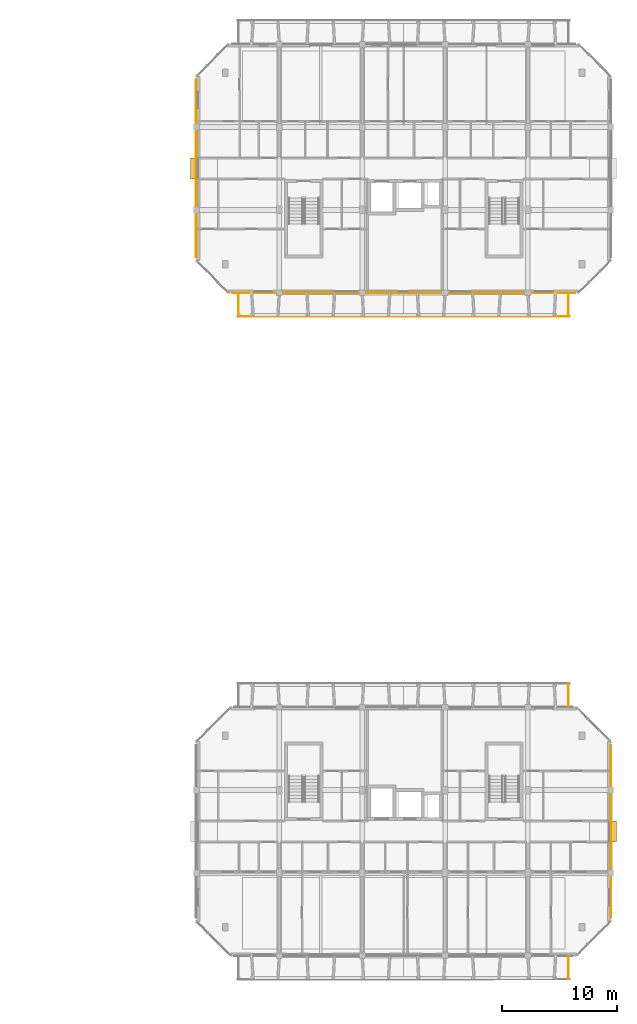
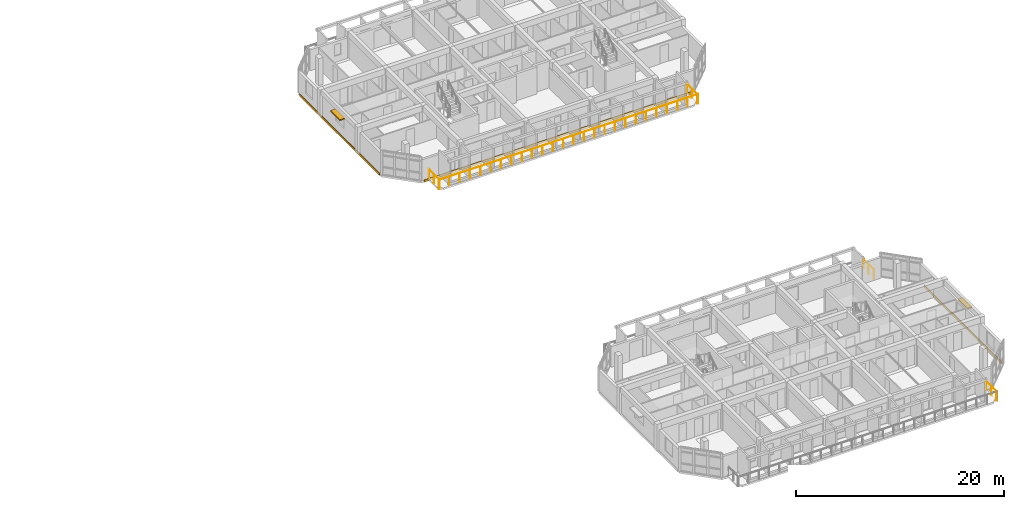
# One storey, part 42 of 44: 5 railings, 3 coverings, 2 shading devices.
"""IFC4 building model written with IfcOpenShell, lengths in metres."""

from ifc_helpers import new_model, si_unit, direction, frame, origin, origin_2d, place, context, subcontext, project, spatial, rectangle, circle, extrude, material, layer, layer_set, type_object, element, save


model = new_model("IFC4")

# Units and contexts
model_context = context("Model", 3, precision=1e-05, world=origin(), true_north=direction((0.0, 1.0)))
body_context = subcontext(model_context, "Body", "Model", "MODEL_VIEW")
ifc_project = project(units=[si_unit("LENGTHUNIT", "METRE"), si_unit("AREAUNIT", "SQUARE_METRE"), si_unit("VOLUMEUNIT", "CUBIC_METRE"), si_unit("PLANEANGLEUNIT", "RADIAN"), si_unit("MASSUNIT", "GRAM", prefix="KILO")], contexts=[model_context])

# Site, building, storey
site_placement = place(None, origin())
site = spatial("IfcSite", under=ifc_project, at=site_placement, CompositionType="ELEMENT")
building_placement = place(site_placement, origin())
building = spatial("IfcBuilding", under=site, at=building_placement, Name="Ochrevale Crest", CompositionType="ELEMENT")
storey_placement = place(building_placement, frame((0.0, 0.0, 21.300048828125)))
storey = spatial("IfcBuildingStorey", under=building, at=storey_placement, Name="L06", CompositionType="ELEMENT", Elevation=21.300048828125)

# Coverings
ifc_material_1 = material(Name="Glazed terracotta rainscreen tile", Category="masonry")
ifc_layer = layer(ifc_material_1, 0.048095703125)
ifc_layer_set = layer_set([ifc_layer], Name="Glazed terracotta rainscreen tile")
covering_type = type_object("IfcCoveringType", Name="COV-CLAD-TER", PredefinedType="CLADDING", material=ifc_layer_set)
covering_1_placement = place(storey_placement, frame((165.614501953125, 25.199951171875, -0.26025390625), z_axis=(0.0, 0.0, 1.0), x_axis=(0.0, 1.0, 0.0)))
element("IfcCovering", 1, at=covering_1_placement, inside=storey, type_object=covering_type, Name="Block C L06 terracotta slab-edge spandrel cladding", PredefinedType="CLADDING", context=body_context, shape_type="SweptSolid", body=[
    extrude(rectangle(XDim=15.0, YDim=0.06005859375, at=origin_2d()), origin(), (0.0, 0.0, 1.0), 0.280029296875),
])
covering_2_placement = place(storey_placement, frame((147.60009765625, 71.987548828125, -0.26025390625), z_axis=(0.0, 0.0, 1.0), x_axis=(1.0, 0.0, 0.0)))
element("IfcCovering", 2, at=covering_2_placement, inside=storey, type_object=covering_type, Name="Block D L06 terracotta slab-edge spandrel cladding", PredefinedType="CLADDING", context=body_context, shape_type="SweptSolid", body=[
    extrude(rectangle(XDim=29.800048828125, YDim=0.06005859375, at=origin_2d()), origin(), (0.0, 0.0, 1.0), 0.280029296875),
])
covering_3_placement = place(storey_placement, frame((129.58544921875, 82.800048828125, -0.26025390625), z_axis=(0.0, 0.0, 1.0), x_axis=(0.0, -1.0, 0.0)))
element("IfcCovering", 3, at=covering_3_placement, inside=storey, type_object=covering_type, Name="Block D L06 terracotta slab-edge spandrel cladding", PredefinedType="CLADDING", context=body_context, shape_type="SweptSolid", body=[
    extrude(rectangle(XDim=15.39990234375, YDim=0.06005859375, at=origin_2d()), origin(), (0.0, 0.0, 1.0), 0.280029296875),
])

# Railings
ifc_material_2 = material(Name="Galvanised steel", Category="steel")
railing_type = type_object("IfcRailingType", Name="RL-BAL-1100", PredefinedType="BALUSTRADE", material=ifc_material_2)
railing_1_placement = place(storey_placement, frame((161.93994140625, 14.39990234375, 0.0)))
element("IfcRailing", 4, at=railing_1_placement, inside=storey, type_object=railing_type, Name="Block C L06 S-E balcony side guard", PredefinedType="BALUSTRADE", context=body_context, shape_type="SweptSolid", body=[
    extrude(circle(Radius=0.02392578125, at=origin_2d()), frame((0.0, 0.0, 1.0859375), z_axis=(0.0, -1.0, 0.0), x_axis=(1.0, 0.0, 0.0)), (0.0, 0.0, 1.0), 2.039794921875),
    extrude(circle(Radius=0.02099609375, at=origin_2d()), origin(), (0.0, 0.0, 1.0), 1.06201171875),
    extrude(circle(Radius=0.02099609375, at=origin_2d()), frame((0.0, -1.02001953125, 0.0)), (0.0, 0.0, 1.0), 1.06201171875),
    extrude(circle(Radius=0.02099609375, at=origin_2d()), frame((0.0, -2.039794921875, 0.0)), (0.0, 0.0, 1.0), 1.06201171875),
])
railing_2_placement = place(storey_placement, frame((161.93994140625, 36.0, 0.0)))
element("IfcRailing", 5, at=railing_2_placement, inside=storey, type_object=railing_type, Name="Block C L06 N-E balcony side guard", PredefinedType="BALUSTRADE", context=body_context, shape_type="SweptSolid", body=[
    extrude(circle(Radius=0.02392578125, at=origin_2d()), frame((0.0, 0.0, 1.0859375), z_axis=(0.0, 1.0, 0.0), x_axis=(-1.0, 0.0, 0.0)), (0.0, 0.0, 1.0), 2.0400390625),
    extrude(circle(Radius=0.02099609375, at=origin_2d()), origin(), (0.0, 0.0, 1.0), 1.06201171875),
    extrude(circle(Radius=0.02099609375, at=origin_2d()), frame((0.0, 1.02001953125, 0.0)), (0.0, 0.0, 1.0), 1.06201171875),
    extrude(circle(Radius=0.02099609375, at=origin_2d()), frame((0.0, 2.0400390625, 0.0)), (0.0, 0.0, 1.0), 1.06201171875),
])
railing_3_placement = place(storey_placement, frame((133.199951171875, 69.9599609375, 0.0)))
element("IfcRailing", 6, at=railing_3_placement, inside=storey, type_object=railing_type, Name="Block D L06 S balcony front balustrade", PredefinedType="BALUSTRADE", context=body_context, shape_type="SweptSolid", body=[
    extrude(circle(Radius=0.02392578125, at=origin_2d()), frame((0.0, 0.0, 1.0859375), z_axis=(1.0, 0.0, 0.0), x_axis=(0.0, 1.0, 0.0)), (0.0, 0.0, 1.0), 28.800048828125),
    extrude(circle(Radius=0.02099609375, at=origin_2d()), origin(), (0.0, 0.0, 1.0), 1.06201171875),
    extrude(circle(Radius=0.02099609375, at=origin_2d()), frame((1.152099609375, 0.0, 0.0)), (0.0, 0.0, 1.0), 1.06201171875),
    extrude(circle(Radius=0.02099609375, at=origin_2d()), frame((2.303955078125, 0.0, 0.0)), (0.0, 0.0, 1.0), 1.06201171875),
    extrude(circle(Radius=0.02099609375, at=origin_2d()), frame((3.4560546875, 0.0, 0.0)), (0.0, 0.0, 1.0), 1.06201171875),
    extrude(circle(Radius=0.02099609375, at=origin_2d()), frame((4.60791015625, 0.0, 0.0)), (0.0, 0.0, 1.0), 1.06201171875),
    extrude(circle(Radius=0.02099609375, at=origin_2d()), frame((5.760009765625, 0.0, 0.0)), (0.0, 0.0, 1.0), 1.06201171875),
    extrude(circle(Radius=0.02099609375, at=origin_2d()), frame((6.912109375, 0.0, 0.0)), (0.0, 0.0, 1.0), 1.06201171875),
    extrude(circle(Radius=0.02099609375, at=origin_2d()), frame((8.06396484375, 0.0, 0.0)), (0.0, 0.0, 1.0), 1.06201171875),
    extrude(circle(Radius=0.02099609375, at=origin_2d()), frame((9.216064453125, 0.0, 0.0)), (0.0, 0.0, 1.0), 1.06201171875),
    extrude(circle(Radius=0.02099609375, at=origin_2d()), frame((10.367919921875, 0.0, 0.0)), (0.0, 0.0, 1.0), 1.06201171875),
    extrude(circle(Radius=0.02099609375, at=origin_2d()), frame((11.52001953125, 0.0, 0.0)), (0.0, 0.0, 1.0), 1.06201171875),
    extrude(circle(Radius=0.02099609375, at=origin_2d()), frame((12.672119140625, 0.0, 0.0)), (0.0, 0.0, 1.0), 1.06201171875),
    extrude(circle(Radius=0.02099609375, at=origin_2d()), frame((13.823974609375, 0.0, 0.0)), (0.0, 0.0, 1.0), 1.06201171875),
    extrude(circle(Radius=0.02099609375, at=origin_2d()), frame((14.97607421875, 0.0, 0.0)), (0.0, 0.0, 1.0), 1.06201171875),
    extrude(circle(Radius=0.02099609375, at=origin_2d()), frame((16.1279296875, 0.0, 0.0)), (0.0, 0.0, 1.0), 1.06201171875),
    extrude(circle(Radius=0.02099609375, at=origin_2d()), frame((17.280029296875, 0.0, 0.0)), (0.0, 0.0, 1.0), 1.06201171875),
    extrude(circle(Radius=0.02099609375, at=origin_2d()), frame((18.43212890625, 0.0, 0.0)), (0.0, 0.0, 1.0), 1.06201171875),
    extrude(circle(Radius=0.02099609375, at=origin_2d()), frame((19.583984375, 0.0, 0.0)), (0.0, 0.0, 1.0), 1.06201171875),
    extrude(circle(Radius=0.02099609375, at=origin_2d()), frame((20.736083984375, 0.0, 0.0)), (0.0, 0.0, 1.0), 1.06201171875),
    extrude(circle(Radius=0.02099609375, at=origin_2d()), frame((21.887939453125, 0.0, 0.0)), (0.0, 0.0, 1.0), 1.06201171875),
    extrude(circle(Radius=0.02099609375, at=origin_2d()), frame((23.0400390625, 0.0, 0.0)), (0.0, 0.0, 1.0), 1.06201171875),
    extrude(circle(Radius=0.02099609375, at=origin_2d()), frame((24.192138671875, 0.0, 0.0)), (0.0, 0.0, 1.0), 1.06201171875),
    extrude(circle(Radius=0.02099609375, at=origin_2d()), frame((25.343994140625, 0.0, 0.0)), (0.0, 0.0, 1.0), 1.06201171875),
    extrude(circle(Radius=0.02099609375, at=origin_2d()), frame((26.49609375, 0.0, 0.0)), (0.0, 0.0, 1.0), 1.06201171875),
    extrude(circle(Radius=0.02099609375, at=origin_2d()), frame((27.64794921875, 0.0, 0.0)), (0.0, 0.0, 1.0), 1.06201171875),
    extrude(circle(Radius=0.02099609375, at=origin_2d()), frame((28.800048828125, 0.0, 0.0)), (0.0, 0.0, 1.0), 1.06201171875),
])
for number, where, name in (
    (7, (133.260009765625, 72.0, 0.0), "Block D L06 S-W balcony side guard"),
    (8, (161.93994140625, 72.0, 0.0), "Block D L06 S-E balcony side guard"),
):
    element("IfcRailing", number, at=place(storey_placement, frame(where)), inside=storey, type_object=railing_type, Name=name, PredefinedType="BALUSTRADE", context=body_context, shape_type="SweptSolid", body=[
        extrude(circle(Radius=0.02392578125, at=origin_2d()), frame((0.0, 0.0, 1.0859375), z_axis=(0.0, -1.0, 0.0), x_axis=(1.0, 0.0, 0.0)), (0.0, 0.0, 1.0), 2.0400390625),
        extrude(circle(Radius=0.02099609375, at=origin_2d()), origin(), (0.0, 0.0, 1.0), 1.06201171875),
        extrude(circle(Radius=0.02099609375, at=origin_2d()), frame((0.0, -1.02001953125, 0.0)), (0.0, 0.0, 1.0), 1.06201171875),
        extrude(circle(Radius=0.02099609375, at=origin_2d()), frame((0.0, -2.0400390625, 0.0)), (0.0, 0.0, 1.0), 1.06201171875),
    ])

# Shading devices
ifc_material_3 = material(Name="Anodised aluminium 6063-T5", Category="aluminium")
shading_device_type = type_object("IfcShadingDeviceType", Name="SHD-SUNSHADE-OC", PredefinedType="USERDEFINED", material=ifc_material_3)
for number, where, z_axis, x_axis, name in (
    (9, (165.840087890625, 25.199951171875, 2.2099609375), (0.0, 0.0, 1.0), (1.0, 0.0, 0.0), "Block C L06 gable window sunshade E"),
    (10, (129.360107421875, 82.800048828125, 2.2099609375), (0.0, 0.0, 1.0), (1.0, 0.0, 0.0), "Block D L06 gable window sunshade W"),
):
    element("IfcShadingDevice", number, at=place(storey_placement, frame(where, z_axis=z_axis, x_axis=x_axis)), inside=storey, type_object=shading_device_type, Name=name, ObjectType="HORIZONTAL SUNSHADE", PredefinedType="USERDEFINED", context=body_context, shape_type="SweptSolid", body=[
        extrude(rectangle(XDim=0.550048828125, YDim=1.800048828125, at=origin_2d()), origin(), (0.0, 0.0, 1.0), 0.139892578125),
    ])

save(model, "model.ifc")
